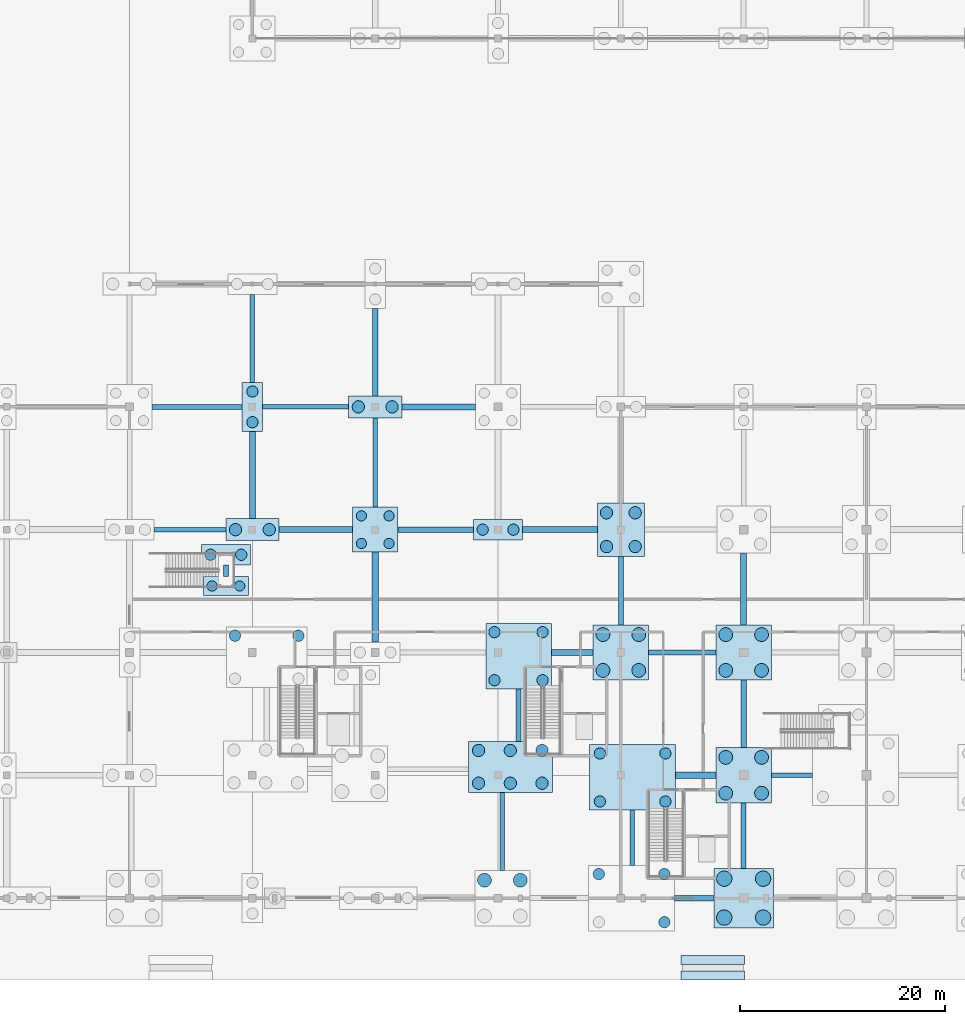
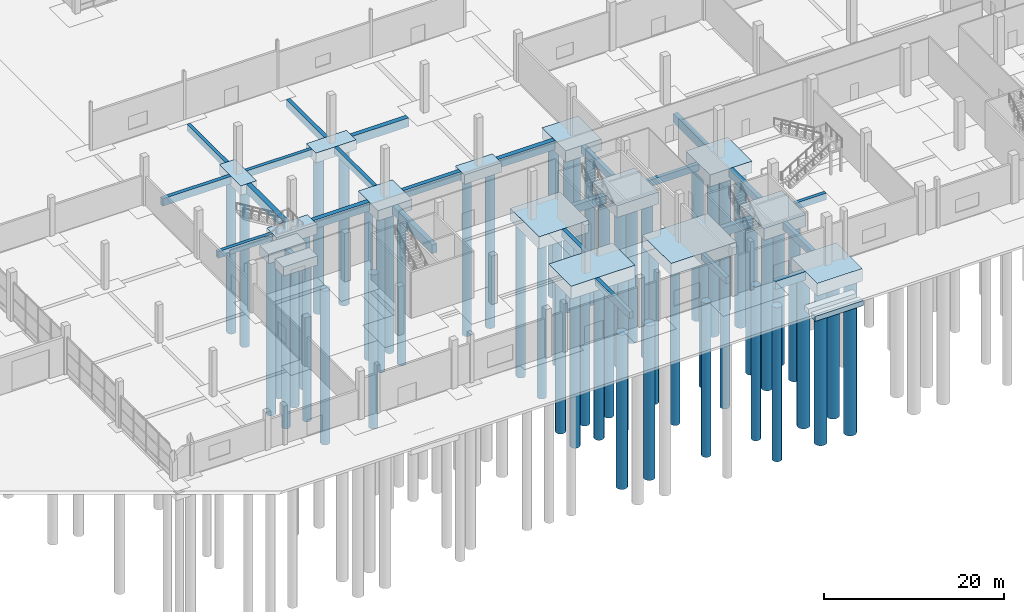
# One storey, part 3 of 117: 57 piles, 42 footings.
"""IFC4 building model written with IfcOpenShell, lengths in metres."""

from ifc_helpers import new_model, si_unit, direction, frame, origin, origin_2d, place, context, subcontext, project, spatial, rectangle, circle, extrude, material, material_profile, profile_set, type_object, element, save


model = new_model("IFC4")

# Units and contexts
model_context = context("Model", 3, precision=1e-05, world=origin(), true_north=direction((0.0, 1.0)))
body_context = subcontext(model_context, "Body", "Model", "MODEL_VIEW")
ifc_project = project(units=[si_unit("LENGTHUNIT", "METRE"), si_unit("AREAUNIT", "SQUARE_METRE"), si_unit("VOLUMEUNIT", "CUBIC_METRE"), si_unit("PLANEANGLEUNIT", "RADIAN"), si_unit("MASSUNIT", "GRAM", prefix="KILO")], contexts=[model_context])

# Site, building, storey
site_placement = place(None, origin())
site = spatial("IfcSite", under=ifc_project, at=site_placement, CompositionType="ELEMENT")
building_placement = place(site_placement, origin())
building = spatial("IfcBuilding", under=site, at=building_placement, Name="Kamomehara Wholesale Market", CompositionType="ELEMENT")
storey_placement = place(building_placement, origin())
storey = spatial("IfcBuildingStorey", under=building, at=storey_placement, Name="L00", CompositionType="ELEMENT", Elevation=0.0)

# Footings
ifc_material_1 = material(Name="Concrete Fc30 (C30/37)", Category="concrete")
footing_type_1 = type_object("IfcFootingType", Name="CAP-2PX-4400", PredefinedType="PILE_CAP", material=ifc_material_1)
footing_1_placement = place(storey_placement, frame((69.412109375, 42.5, -1.25), z_axis=(0.0, 0.0, 1.0), x_axis=(1.0, 0.0, 0.0)))
element("IfcFooting", 1, at=footing_1_placement, inside=storey, type_object=footing_type_1, Name="Pile cap PC-04", PredefinedType="PILE_CAP", context=body_context, shape_type="SweptSolid", body=[
    extrude(rectangle(XDim=4.39990234375, YDim=1.85009765625, at=origin_2d()), origin(), (0.0, 0.0, 1.0), 1.25),
])
ifc_material_2 = material(Name="Concrete Fc30 (C30/37)", Category="concrete")
footing_type_2 = type_object("IfcFootingType", Name="CAP-2PX-4800", PredefinedType="PILE_CAP", material=ifc_material_2)
for number, where, z_axis, x_axis, name in (
    (2, (69.412109375, 45.550048828125, -1.2998046875), (0.0, 0.0, 1.0), (1.0, 0.0, 0.0), "Pile cap PC-06"),
    (3, (96.0, 48.0, -1.2998046875), (0.0, 0.0, 1.0), (1.0, 0.0, 0.0), "Pile cap PC-06"),
):
    element("IfcFooting", number, at=place(storey_placement, frame(where, z_axis=z_axis, x_axis=x_axis)), inside=storey, type_object=footing_type_2, Name=name, PredefinedType="PILE_CAP", context=body_context, shape_type="SweptSolid", body=[
        extrude(rectangle(XDim=4.800048828125, YDim=2.0, at=origin_2d()), origin(), (0.0, 0.0, 1.0), 1.300048828125),
    ])
ifc_material_3 = material(Name="Concrete Fc30 (C30/37)", Category="concrete")
footing_type_3 = type_object("IfcFootingType", Name="CAP-2PX-5200", PredefinedType="PILE_CAP", material=ifc_material_3)
for number, where, z_axis, x_axis, name in (
    (4, (72.0, 48.0, -1.35009765625), (0.0, 0.0, 1.0), (1.0, 0.0, 0.0), "Pile cap PC-08"),
    (5, (84.0, 60.0, -1.35009765625), (0.0, 0.0, 1.0), (1.0, 0.0, 0.0), "Pile cap PC-08"),
):
    element("IfcFooting", number, at=place(storey_placement, frame(where, z_axis=z_axis, x_axis=x_axis)), inside=storey, type_object=footing_type_3, Name=name, PredefinedType="PILE_CAP", context=body_context, shape_type="SweptSolid", body=[
        extrude(rectangle(XDim=5.199951171875, YDim=2.14990234375, at=origin_2d()), origin(), (0.0, 0.0, 1.0), 1.35009765625),
    ])
ifc_material_4 = material(Name="Concrete Fc30 (C30/37)", Category="concrete")
footing_type_4 = type_object("IfcFootingType", Name="CAP-2PY-4800", PredefinedType="PILE_CAP", material=ifc_material_4)
footing_2_placement = place(storey_placement, frame((72.0, 60.0, -1.2998046875), z_axis=(0.0, 0.0, 1.0), x_axis=(1.0, 0.0, 0.0)))
element("IfcFooting", 6, at=footing_2_placement, inside=storey, type_object=footing_type_4, Name="Pile cap PC-07", PredefinedType="PILE_CAP", context=body_context, shape_type="SweptSolid", body=[
    extrude(rectangle(XDim=2.0, YDim=4.800048828125, at=origin_2d()), origin(), (0.0, 0.0, 1.0), 1.300048828125),
])
ifc_material_5 = material(Name="Concrete Fc30 (C30/37)", Category="concrete")
footing_type_5 = type_object("IfcFootingType", Name="CAP-4P-4400", PredefinedType="PILE_CAP", material=ifc_material_5)
footing_3_placement = place(storey_placement, frame((84.0, 48.0, -1.39990234375), z_axis=(0.0, 0.0, 1.0), x_axis=(1.0, 0.0, 0.0)))
element("IfcFooting", 7, at=footing_3_placement, inside=storey, type_object=footing_type_5, Name="Pile cap PC-10", PredefinedType="PILE_CAP", context=body_context, shape_type="SweptSolid", body=[
    extrude(rectangle(XDim=4.39990234375, YDim=4.39990234375, at=origin_2d()), origin(), (0.0, 0.0, 1.0), 1.39990234375),
])
ifc_material_6 = material(Name="Concrete Fc30 (C30/37)", Category="concrete")
footing_type_6 = type_object("IfcFootingType", Name="CAP-4P-5400", PredefinedType="PILE_CAP", material=ifc_material_6)
for number, where, z_axis, x_axis, name in (
    (8, (108.0, 36.0, -1.60009765625), (0.0, 0.0, 1.0), (1.0, 0.0, 0.0), "Pile cap PC-13"),
    (9, (120.0, 24.0, -1.60009765625), (0.0, 0.0, 1.0), (1.0, 0.0, 0.0), "Pile cap PC-13"),
    (10, (120.0, 36.0, -1.60009765625), (0.0, 0.0, 1.0), (1.0, 0.0, 0.0), "Pile cap PC-13"),
):
    element("IfcFooting", number, at=place(storey_placement, frame(where, z_axis=z_axis, x_axis=x_axis)), inside=storey, type_object=footing_type_6, Name=name, PredefinedType="PILE_CAP", context=body_context, shape_type="SweptSolid", body=[
        extrude(rectangle(XDim=5.39990234375, YDim=5.39990234375, at=origin_2d()), origin(), (0.0, 0.0, 1.0), 1.60009765625),
    ])
ifc_material_7 = material(Name="Concrete Fc30 (C30/37)", Category="concrete")
footing_type_7 = type_object("IfcFootingType", Name="CAP-4P-5800", PredefinedType="PILE_CAP", material=ifc_material_7)
footing_4_placement = place(storey_placement, frame((120.0, 12.0, -1.7001953125), z_axis=(0.0, 0.0, 1.0), x_axis=(1.0, 0.0, 0.0)))
element("IfcFooting", 11, at=footing_4_placement, inside=storey, type_object=footing_type_7, Name="Pile cap PC-14", PredefinedType="PILE_CAP", context=body_context, shape_type="SweptSolid", body=[
    extrude(rectangle(XDim=5.800048828125, YDim=5.800048828125, at=origin_2d()), origin(), (0.0, 0.0, 1.0), 1.699951171875),
])
ifc_material_8 = material(Name="Concrete Fc30 (C30/37)", Category="concrete")
footing_type_8 = type_object("IfcFootingType", Name="CAP-4PR-4600", PredefinedType="PILE_CAP", material=ifc_material_8)
footing_5_placement = place(storey_placement, frame((108.0, 48.0, -1.5498046875), z_axis=(0.0, 0.0, 1.0), x_axis=(1.0, 0.0, 0.0)))
element("IfcFooting", 12, at=footing_5_placement, inside=storey, type_object=footing_type_8, Name="Pile cap PC-16", PredefinedType="PILE_CAP", context=body_context, shape_type="SweptSolid", body=[
    extrude(rectangle(XDim=4.60009765625, YDim=5.199951171875, at=origin_2d()), origin(), (0.0, 0.0, 1.0), 1.550048828125),
])
ifc_material_9 = material(Name="Concrete Fc30 (C30/37)", Category="concrete")
footing_type_9 = type_object("IfcFootingType", Name="CAP-6P-8200", PredefinedType="PILE_CAP", material=ifc_material_9)
footing_6_placement = place(storey_placement, frame((97.199951171875, 24.824951171875, -1.75), z_axis=(0.0, 0.0, 1.0), x_axis=(1.0, 0.0, 0.0)))
element("IfcFooting", 13, at=footing_6_placement, inside=storey, type_object=footing_type_9, Name="Pile cap PC-17", PredefinedType="PILE_CAP", context=body_context, shape_type="SweptSolid", body=[
    extrude(rectangle(XDim=8.199951171875, YDim=5.0, at=origin_2d()), origin(), (0.0, 0.0, 1.0), 1.75),
])
ifc_material_10 = material(Name="Concrete Fc30 (C30/37)", Category="concrete")
footing_type_10 = type_object("IfcFootingType", Name="CAP-CMB-640x640", PredefinedType="PILE_CAP", material=ifc_material_10)
footing_7_placement = place(storey_placement, frame((98.0, 35.637939453125, -1.64990234375), z_axis=(0.0, 0.0, 1.0), x_axis=(1.0, 0.0, 0.0)))
element("IfcFooting", 14, at=footing_7_placement, inside=storey, type_object=footing_type_10, Name="Pile cap PCC-64x64", PredefinedType="PILE_CAP", context=body_context, shape_type="SweptSolid", body=[
    extrude(rectangle(XDim=6.39990234375, YDim=6.39990234375, at=origin_2d()), origin(), (0.0, 0.0, 1.0), 1.64990234375),
])
ifc_material_11 = material(Name="Concrete Fc30 (C30/37)", Category="concrete")
footing_type_11 = type_object("IfcFootingType", Name="CAP-CMB-840x640", PredefinedType="PILE_CAP", material=ifc_material_11)
footing_8_placement = place(storey_placement, frame((109.14990234375, 23.7880859375, -1.64990234375), z_axis=(0.0, 0.0, 1.0), x_axis=(1.0, 0.0, 0.0)))
element("IfcFooting", 15, at=footing_8_placement, inside=storey, type_object=footing_type_11, Name="Pile cap PCC-84x64", PredefinedType="PILE_CAP", context=body_context, shape_type="SweptSolid", body=[
    extrude(rectangle(XDim=8.39990234375, YDim=6.39990234375, at=origin_2d()), origin(), (0.0, 0.0, 1.0), 1.64990234375),
])
ifc_material_12 = material(Name="Concrete Fc30 (C30/37)", Category="concrete")
ifc_material_profile_1 = material_profile(ifc_material_12, rectangle(XDim=0.449951171875, YDim=0.89990234375, at=origin_2d()), Name="RC-FTB-450x900")
ifc_profile_set_1 = profile_set([ifc_material_profile_1], Name="Concrete Fc30 (C30/37)")
footing_type_12 = type_object("IfcFootingType", Name="FTB-450x900", PredefinedType="FOOTING_BEAM", material=ifc_profile_set_1)
footing_9_placement = place(storey_placement, frame((62.402099609375, 48.0, -0.449951171875), z_axis=(1.0, 0.0, 0.0), x_axis=(0.0, 1.0, 0.0)))
element("IfcFooting", 16, at=footing_9_placement, inside=storey, type_object=footing_type_12, Name="Foundation tie beam 55", PredefinedType="FOOTING_BEAM", context=body_context, shape_type="SweptSolid", body=[
    extrude(rectangle(XDim=0.449951171875, YDim=0.89990234375, at=origin_2d()), origin(), (0.0, 0.0, 1.0), 6.995849609375),
])
footing_10_placement = place(storey_placement, frame((73.001953125, 60.0, -0.449951171875), z_axis=(1.0, 0.0, 0.0), x_axis=(0.0, 1.0, 0.0)))
element("IfcFooting", 17, at=footing_10_placement, inside=storey, type_object=footing_type_12, Name="Foundation tie beam 67", PredefinedType="FOOTING_BEAM", context=body_context, shape_type="SweptSolid", body=[
    extrude(rectangle(XDim=0.449951171875, YDim=0.89990234375, at=origin_2d()), origin(), (0.0, 0.0, 1.0), 8.39599609375),
])
footing_11_placement = place(storey_placement, frame((110.701904296875, 36.0, -0.449951171875), z_axis=(1.0, 0.0, 0.0), x_axis=(0.0, 1.0, 0.0)))
element("IfcFooting", 18, at=footing_11_placement, inside=storey, type_object=footing_type_12, Name="Foundation tie beam 107", PredefinedType="FOOTING_BEAM", context=body_context, shape_type="SweptSolid", body=[
    extrude(rectangle(XDim=0.449951171875, YDim=0.89990234375, at=origin_2d()), origin(), (0.0, 0.0, 1.0), 6.59619140625),
])
footing_12_placement = place(storey_placement, frame((122.701904296875, 24.0, -0.449951171875), z_axis=(1.0, 0.0, 0.0), x_axis=(0.0, 1.0, 0.0)))
element("IfcFooting", 19, at=footing_12_placement, inside=storey, type_object=footing_type_12, Name="Foundation tie beam 119", PredefinedType="FOOTING_BEAM", context=body_context, shape_type="SweptSolid", body=[
    extrude(rectangle(XDim=0.449951171875, YDim=0.89990234375, at=origin_2d()), origin(), (0.0, 0.0, 1.0), 4.0419921875),
])
footing_13_placement = place(storey_placement, frame((72.0, 62.402099609375, -0.449951171875), z_axis=(0.0, 1.0, 0.0), x_axis=(-1.0, 0.0, 0.0)))
element("IfcFooting", 20, at=footing_13_placement, inside=storey, type_object=footing_type_12, Name="Foundation tie beam 259", PredefinedType="FOOTING_BEAM", context=body_context, shape_type="SweptSolid", body=[
    extrude(rectangle(XDim=0.449951171875, YDim=0.89990234375, at=origin_2d()), origin(), (0.0, 0.0, 1.0), 8.595947265625),
])
footing_14_placement = place(storey_placement, frame((84.0, 50.201904296875, -0.449951171875), z_axis=(0.0, 1.0, 0.0), x_axis=(-1.0, 0.0, 0.0)))
element("IfcFooting", 21, at=footing_14_placement, inside=storey, type_object=footing_type_12, Name="Foundation tie beam 267", PredefinedType="FOOTING_BEAM", context=body_context, shape_type="SweptSolid", body=[
    extrude(rectangle(XDim=0.449951171875, YDim=0.89990234375, at=origin_2d()), origin(), (0.0, 0.0, 1.0), 8.72119140625),
])
footing_15_placement = place(storey_placement, frame((96.425048828125, 14.701904296875, -0.449951171875), z_axis=(0.0, 1.0, 0.0), x_axis=(-1.0, 0.0, 0.0)))
element("IfcFooting", 22, at=footing_15_placement, inside=storey, type_object=footing_type_12, Name="Foundation tie beam 275", PredefinedType="FOOTING_BEAM", context=body_context, shape_type="SweptSolid", body=[
    extrude(rectangle(XDim=0.449951171875, YDim=0.89990234375, at=origin_2d()), origin(), (0.0, 0.0, 1.0), 7.62109375),
])
footing_16_placement = place(storey_placement, frame((109.10009765625, 15.201904296875, -0.449951171875), z_axis=(0.0, 1.0, 0.0), x_axis=(-1.0, 0.0, 0.0)))
element("IfcFooting", 23, at=footing_16_placement, inside=storey, type_object=footing_type_12, Name="Foundation tie beam 283", PredefinedType="FOOTING_BEAM", context=body_context, shape_type="SweptSolid", body=[
    extrude(rectangle(XDim=0.449951171875, YDim=0.89990234375, at=origin_2d()), origin(), (0.0, 0.0, 1.0), 5.384033203125),
])
ifc_material_13 = material(Name="Concrete Fc30 (C30/37)", Category="concrete")
ifc_material_profile_2 = material_profile(ifc_material_13, rectangle(XDim=0.5, YDim=1.0, at=origin_2d()), Name="RC-FTB-500x1000")
ifc_profile_set_2 = profile_set([ifc_material_profile_2], Name="Concrete Fc30 (C30/37)")
footing_type_13 = type_object("IfcFootingType", Name="FTB-500x1000", PredefinedType="FOOTING_BEAM", material=ifc_profile_set_2)
footing_17_placement = place(storey_placement, frame((62.201904296875, 60.0, -0.5), z_axis=(1.0, 0.0, 0.0), x_axis=(0.0, 1.0, 0.0)))
element("IfcFooting", 24, at=footing_17_placement, inside=storey, type_object=footing_type_13, Name="Foundation tie beam 56", PredefinedType="FOOTING_BEAM", context=body_context, shape_type="SweptSolid", body=[
    extrude(rectangle(XDim=0.5, YDim=1.0, at=origin_2d()), origin(), (0.0, 0.0, 1.0), 8.796142578125),
])
footing_18_placement = place(storey_placement, frame((69.412109375, 43.427001953125, -0.5), z_axis=(0.0, 1.0, 0.0), x_axis=(-1.0, 0.0, 0.0)))
element("IfcFooting", 25, at=footing_18_placement, inside=storey, type_object=footing_type_13, Name="Foundation tie beam 256", PredefinedType="FOOTING_BEAM", context=body_context, shape_type="SweptSolid", body=[
    extrude(rectangle(XDim=0.5, YDim=1.0, at=origin_2d()), origin(), (0.0, 0.0, 1.0), 1.12109375),
])
footing_19_placement = place(storey_placement, frame((84.0, 61.076904296875, -0.5), z_axis=(0.0, 1.0, 0.0), x_axis=(-1.0, 0.0, 0.0)))
element("IfcFooting", 26, at=footing_19_placement, inside=storey, type_object=footing_type_13, Name="Foundation tie beam 268", PredefinedType="FOOTING_BEAM", context=body_context, shape_type="SweptSolid", body=[
    extrude(rectangle(XDim=0.5, YDim=1.0, at=origin_2d()), origin(), (0.0, 0.0, 1.0), 8.52099609375),
])
footing_20_placement = place(storey_placement, frame((98.0, 27.326904296875, -0.5), z_axis=(0.0, 1.0, 0.0), x_axis=(-1.0, 0.0, 0.0)))
element("IfcFooting", 27, at=footing_20_placement, inside=storey, type_object=footing_type_13, Name="Foundation tie beam 276", PredefinedType="FOOTING_BEAM", context=body_context, shape_type="SweptSolid", body=[
    extrude(rectangle(XDim=0.5, YDim=1.0, at=origin_2d()), origin(), (0.0, 0.0, 1.0), 5.109130859375),
])
footing_21_placement = place(storey_placement, frame((108.0, 38.701904296875, -0.5), z_axis=(0.0, 1.0, 0.0), x_axis=(-1.0, 0.0, 0.0)))
element("IfcFooting", 28, at=footing_21_placement, inside=storey, type_object=footing_type_13, Name="Foundation tie beam 284", PredefinedType="FOOTING_BEAM", context=body_context, shape_type="SweptSolid", body=[
    extrude(rectangle(XDim=0.5, YDim=1.0, at=origin_2d()), origin(), (0.0, 0.0, 1.0), 6.696044921875),
])
footing_22_placement = place(storey_placement, frame((120.0, 14.902099609375, -0.5), z_axis=(0.0, 1.0, 0.0), x_axis=(-1.0, 0.0, 0.0)))
element("IfcFooting", 29, at=footing_22_placement, inside=storey, type_object=footing_type_13, Name="Foundation tie beam 292", PredefinedType="FOOTING_BEAM", context=body_context, shape_type="SweptSolid", body=[
    extrude(rectangle(XDim=0.5, YDim=1.0, at=origin_2d()), origin(), (0.0, 0.0, 1.0), 6.39599609375),
])
ifc_material_14 = material(Name="Concrete Fc30 (C30/37)", Category="concrete")
ifc_material_profile_3 = material_profile(ifc_material_14, rectangle(XDim=0.550048828125, YDim=1.10009765625, at=origin_2d()), Name="RC-FTB-550x1100")
ifc_profile_set_3 = profile_set([ifc_material_profile_3], Name="Concrete Fc30 (C30/37)")
footing_type_14 = type_object("IfcFootingType", Name="FTB-550x1100", PredefinedType="FOOTING_BEAM", material=ifc_profile_set_3)
footing_23_placement = place(storey_placement, frame((86.201904296875, 48.0, -0.550048828125), z_axis=(1.0, 0.0, 0.0), x_axis=(0.0, 1.0, 0.0)))
element("IfcFooting", 30, at=footing_23_placement, inside=storey, type_object=footing_type_14, Name="Foundation tie beam 81", PredefinedType="FOOTING_BEAM", context=body_context, shape_type="SweptSolid", body=[
    extrude(rectangle(XDim=0.550048828125, YDim=1.10009765625, at=origin_2d()), origin(), (0.0, 0.0, 1.0), 7.39599609375),
])
footing_24_placement = place(storey_placement, frame((101.201904296875, 36.0, -0.550048828125), z_axis=(1.0, 0.0, 0.0), x_axis=(0.0, 1.0, 0.0)))
element("IfcFooting", 31, at=footing_24_placement, inside=storey, type_object=footing_type_14, Name="Foundation tie beam 93", PredefinedType="FOOTING_BEAM", context=body_context, shape_type="SweptSolid", body=[
    extrude(rectangle(XDim=0.550048828125, YDim=1.10009765625, at=origin_2d()), origin(), (0.0, 0.0, 1.0), 4.09619140625),
])
footing_25_placement = place(storey_placement, frame((113.251953125, 12.0, -0.550048828125), z_axis=(1.0, 0.0, 0.0), x_axis=(0.0, 1.0, 0.0)))
element("IfcFooting", 32, at=footing_25_placement, inside=storey, type_object=footing_type_14, Name="Foundation tie beam 105", PredefinedType="FOOTING_BEAM", context=body_context, shape_type="SweptSolid", body=[
    extrude(rectangle(XDim=0.550048828125, YDim=1.10009765625, at=origin_2d()), origin(), (0.0, 0.0, 1.0), 3.845947265625),
])
footing_26_placement = place(storey_placement, frame((120.0, 26.701904296875, -0.550048828125), z_axis=(0.0, 1.0, 0.0), x_axis=(-1.0, 0.0, 0.0)))
element("IfcFooting", 33, at=footing_26_placement, inside=storey, type_object=footing_type_14, Name="Foundation tie beam 293", PredefinedType="FOOTING_BEAM", context=body_context, shape_type="SweptSolid", body=[
    extrude(rectangle(XDim=0.550048828125, YDim=1.10009765625, at=origin_2d()), origin(), (0.0, 0.0, 1.0), 6.59619140625),
])
ifc_material_15 = material(Name="Concrete Fc30 (C30/37)", Category="concrete")
ifc_material_profile_4 = material_profile(ifc_material_15, rectangle(XDim=0.60009765625, YDim=1.199951171875, at=origin_2d()), Name="RC-FTB-600x1200")
ifc_profile_set_4 = profile_set([ifc_material_profile_4], Name="Concrete Fc30 (C30/37)")
footing_type_15 = type_object("IfcFootingType", Name="FTB-600x1200", PredefinedType="FOOTING_BEAM", material=ifc_profile_set_4)
for number, where, z_axis, x_axis, name in (
    (34, (74.60205078125, 48.0, -0.60009765625), (1.0, 0.0, 0.0), (0.0, 1.0, 0.0), "Foundation tie beam 66"),
    (35, (86.60205078125, 60.0, -0.60009765625), (1.0, 0.0, 0.0), (0.0, 1.0, 0.0), "Foundation tie beam 82"),
):
    element("IfcFooting", number, at=place(storey_placement, frame(where, z_axis=z_axis, x_axis=x_axis)), inside=storey, type_object=footing_type_15, Name=name, PredefinedType="FOOTING_BEAM", context=body_context, shape_type="SweptSolid", body=[
        extrude(rectangle(XDim=0.60009765625, YDim=1.199951171875, at=origin_2d()), origin(), (0.0, 0.0, 1.0), 7.196044921875),
    ])
footing_27_placement = place(storey_placement, frame((98.402099609375, 48.0, -0.60009765625), z_axis=(1.0, 0.0, 0.0), x_axis=(0.0, 1.0, 0.0)))
element("IfcFooting", 36, at=footing_27_placement, inside=storey, type_object=footing_type_15, Name="Foundation tie beam 94", PredefinedType="FOOTING_BEAM", context=body_context, shape_type="SweptSolid", body=[
    extrude(rectangle(XDim=0.60009765625, YDim=1.199951171875, at=origin_2d()), origin(), (0.0, 0.0, 1.0), 7.2958984375),
])
footing_28_placement = place(storey_placement, frame((113.35205078125, 24.0, -0.60009765625), z_axis=(1.0, 0.0, 0.0), x_axis=(0.0, 1.0, 0.0)))
element("IfcFooting", 37, at=footing_28_placement, inside=storey, type_object=footing_type_15, Name="Foundation tie beam 106", PredefinedType="FOOTING_BEAM", context=body_context, shape_type="SweptSolid", body=[
    extrude(rectangle(XDim=0.60009765625, YDim=1.199951171875, at=origin_2d()), origin(), (0.0, 0.0, 1.0), 3.946044921875),
])
footing_29_placement = place(storey_placement, frame((72.0, 49.076904296875, -0.60009765625), z_axis=(0.0, 1.0, 0.0), x_axis=(-1.0, 0.0, 0.0)))
element("IfcFooting", 38, at=footing_29_placement, inside=storey, type_object=footing_type_15, Name="Foundation tie beam 258", PredefinedType="FOOTING_BEAM", context=body_context, shape_type="SweptSolid", body=[
    extrude(rectangle(XDim=0.60009765625, YDim=1.199951171875, at=origin_2d()), origin(), (0.0, 0.0, 1.0), 8.52099609375),
])
footing_30_placement = place(storey_placement, frame((84.0, 37.001953125, -0.60009765625), z_axis=(0.0, 1.0, 0.0), x_axis=(-1.0, 0.0, 0.0)))
element("IfcFooting", 39, at=footing_30_placement, inside=storey, type_object=footing_type_15, Name="Foundation tie beam 266", PredefinedType="FOOTING_BEAM", context=body_context, shape_type="SweptSolid", body=[
    extrude(rectangle(XDim=0.60009765625, YDim=1.199951171875, at=origin_2d()), origin(), (0.0, 0.0, 1.0), 8.796142578125),
])
footing_31_placement = place(storey_placement, frame((120.0, 38.701904296875, -0.60009765625), z_axis=(0.0, 1.0, 0.0), x_axis=(-1.0, 0.0, 0.0)))
element("IfcFooting", 40, at=footing_31_placement, inside=storey, type_object=footing_type_15, Name="Foundation tie beam 294", PredefinedType="FOOTING_BEAM", context=body_context, shape_type="SweptSolid", body=[
    extrude(rectangle(XDim=0.60009765625, YDim=1.199951171875, at=origin_2d()), origin(), (0.0, 0.0, 1.0), 6.99609375),
])
ifc_material_16 = material(Name="Concrete Fc30 (C30/37)", Category="concrete")
footing_type_16 = type_object("IfcFootingType", Name="PAD-RMP-1800", PredefinedType="PAD_FOOTING", material=ifc_material_16)
for number, where, z_axis, x_axis, name in (
    (41, (117.0, 4.449951171875, -0.9599609375), (0.0, 0.0, 1.0), (1.0, 0.0, 0.0), "Ramp toe footing PR-02.1"),
    (42, (117.0, 5.949951171875, -0.89990234375), (0.0, 0.0, 1.0), (1.0, 0.0, 0.0), "Ramp toe footing PR-02.2"),
):
    element("IfcFooting", number, at=place(storey_placement, frame(where, z_axis=z_axis, x_axis=x_axis)), inside=storey, type_object=footing_type_16, Name=name, PredefinedType="PAD_FOOTING", context=body_context, shape_type="SweptSolid", body=[
        extrude(rectangle(XDim=6.199951171875, YDim=0.89990234375, at=origin_2d()), origin(), (0.0, 0.0, 1.0), 0.699951171875),
    ])

# Piles
ifc_material_17 = material(Name="Concrete Fc30 (C30/37)", Category="concrete")
ifc_material_profile_5 = material_profile(ifc_material_17, circle(Radius=0.5, at=origin_2d()), Name="RC-PILE-D1000")
ifc_profile_set_5 = profile_set([ifc_material_profile_5], Name="Concrete Fc30 (C30/37)")
pile_type_1 = type_object("IfcPileType", Name="PILE-D1000", PredefinedType="BORED", material=ifc_profile_set_5)
for number, where, z_axis, x_axis, name in (
    (43, (68.06201171875, 42.5, -1.14990234375), (0.0, 0.0, -1.0), (1.0, 0.0, 0.0), "Bored pile 71.231"),
    (44, (70.761962890625, 42.5, -1.14990234375), (0.0, 0.0, -1.0), (1.0, 0.0, 0.0), "Bored pile 71.232"),
):
    element("IfcPile", number, at=place(storey_placement, frame(where, z_axis=z_axis, x_axis=x_axis)), inside=storey, type_object=pile_type_1, Name=name, PredefinedType="BORED", context=body_context, shape_type="SweptSolid", body=[
        extrude(circle(Radius=0.5, at=origin_2d()), origin(), (0.0, 0.0, 1.0), 21.35009765625),
    ])
for number, where, z_axis, x_axis, name in (
    (45, (82.64990234375, 46.64990234375, -1.300048828125), (0.0, 0.0, -1.0), (1.0, 0.0, 0.0), "Bored pile 91.278"),
    (46, (85.35009765625, 46.64990234375, -1.300048828125), (0.0, 0.0, -1.0), (1.0, 0.0, 0.0), "Bored pile 91.279"),
    (47, (82.64990234375, 49.35009765625, -1.300048828125), (0.0, 0.0, -1.0), (1.0, 0.0, 0.0), "Bored pile 91.280"),
    (48, (85.35009765625, 49.35009765625, -1.300048828125), (0.0, 0.0, -1.0), (1.0, 0.0, 0.0), "Bored pile 91.281"),
):
    element("IfcPile", number, at=place(storey_placement, frame(where, z_axis=z_axis, x_axis=x_axis)), inside=storey, type_object=pile_type_1, Name=name, PredefinedType="BORED", context=body_context, shape_type="SweptSolid", body=[
        extrude(circle(Radius=0.5, at=origin_2d()), origin(), (0.0, 0.0, 1.0), 21.199951171875),
    ])
ifc_material_18 = material(Name="Concrete Fc30 (C30/37)", Category="concrete")
ifc_material_profile_6 = material_profile(ifc_material_18, circle(Radius=0.550048828125, at=origin_2d()), Name="RC-PILE-D1100")
ifc_profile_set_6 = profile_set([ifc_material_profile_6], Name="Concrete Fc30 (C30/37)")
pile_type_2 = type_object("IfcPileType", Name="PILE-D1100", PredefinedType="BORED", material=ifc_profile_set_6)
for number, where, z_axis, x_axis, name in (
    (49, (67.912109375, 45.550048828125, -1.199951171875), (0.0, 0.0, -1.0), (1.0, 0.0, 0.0), "Bored pile 72.233"),
    (50, (70.912109375, 45.550048828125, -1.199951171875), (0.0, 0.0, -1.0), (1.0, 0.0, 0.0), "Bored pile 72.234"),
):
    element("IfcPile", number, at=place(storey_placement, frame(where, z_axis=z_axis, x_axis=x_axis)), inside=storey, type_object=pile_type_2, Name=name, PredefinedType="BORED", context=body_context, shape_type="SweptSolid", body=[
        extrude(circle(Radius=0.550048828125, at=origin_2d()), origin(), (0.0, 0.0, 1.0), 21.300048828125),
    ])
for number, where, z_axis, x_axis, name in (
    (51, (70.300048828125, 37.637939453125, -1.550048828125), (0.0, 0.0, -1.0), (1.0, 0.0, 0.0), "Bored pile 75.245"),
    (52, (76.5, 37.637939453125, -1.550048828125), (0.0, 0.0, -1.0), (1.0, 0.0, 0.0), "Bored pile 75.246"),
):
    element("IfcPile", number, at=place(storey_placement, frame(where, z_axis=z_axis, x_axis=x_axis)), inside=storey, type_object=pile_type_2, Name=name, PredefinedType="BORED", context=body_context, shape_type="SweptSolid", body=[
        extrude(circle(Radius=0.550048828125, at=origin_2d()), origin(), (0.0, 0.0, 1.0), 20.949951171875),
    ])
for number, where, z_axis, x_axis, name in (
    (53, (72.0, 58.5, -1.199951171875), (0.0, 0.0, -1.0), (1.0, 0.0, 0.0), "Bored pile 77.249"),
    (54, (72.0, 61.5, -1.199951171875), (0.0, 0.0, -1.0), (1.0, 0.0, 0.0), "Bored pile 77.250"),
):
    element("IfcPile", number, at=place(storey_placement, frame(where, z_axis=z_axis, x_axis=x_axis)), inside=storey, type_object=pile_type_2, Name=name, PredefinedType="BORED", context=body_context, shape_type="SweptSolid", body=[
        extrude(circle(Radius=0.550048828125, at=origin_2d()), origin(), (0.0, 0.0, 1.0), 21.300048828125),
    ])
for number, where, z_axis, x_axis, name in (
    (55, (95.64990234375, 33.2880859375, -1.550048828125), (0.0, 0.0, -1.0), (1.0, 0.0, 0.0), "Bored pile 106.317"),
    (56, (100.35009765625, 33.2880859375, -1.550048828125), (0.0, 0.0, -1.0), (1.0, 0.0, 0.0), "Bored pile 106.318"),
    (57, (95.64990234375, 37.988037109375, -1.550048828125), (0.0, 0.0, -1.0), (1.0, 0.0, 0.0), "Bored pile 106.319"),
    (58, (100.35009765625, 37.988037109375, -1.550048828125), (0.0, 0.0, -1.0), (1.0, 0.0, 0.0), "Bored pile 106.320"),
):
    element("IfcPile", number, at=place(storey_placement, frame(where, z_axis=z_axis, x_axis=x_axis)), inside=storey, type_object=pile_type_2, Name=name, PredefinedType="BORED", context=body_context, shape_type="SweptSolid", body=[
        extrude(circle(Radius=0.550048828125, at=origin_2d()), origin(), (0.0, 0.0, 1.0), 20.949951171875),
    ])
for number, where, z_axis, x_axis, name in (
    (59, (94.5, 48.0, -1.199951171875), (0.0, 0.0, -1.0), (1.0, 0.0, 0.0), "Bored pile 107.321"),
    (60, (97.5, 48.0, -1.199951171875), (0.0, 0.0, -1.0), (1.0, 0.0, 0.0), "Bored pile 107.322"),
):
    element("IfcPile", number, at=place(storey_placement, frame(where, z_axis=z_axis, x_axis=x_axis)), inside=storey, type_object=pile_type_2, Name=name, PredefinedType="BORED", context=body_context, shape_type="SweptSolid", body=[
        extrude(circle(Radius=0.550048828125, at=origin_2d()), origin(), (0.0, 0.0, 1.0), 21.300048828125),
    ])
for number, where, z_axis, x_axis, name in (
    (61, (112.25, 9.64990234375, -1.550048828125), (0.0, 0.0, -1.0), (1.0, 0.0, 0.0), "Bored pile 118.343"),
    (62, (105.85009765625, 14.35009765625, -1.550048828125), (0.0, 0.0, -1.0), (1.0, 0.0, 0.0), "Bored pile 118.344"),
    (63, (112.25, 14.35009765625, -1.550048828125), (0.0, 0.0, -1.0), (1.0, 0.0, 0.0), "Bored pile 118.345"),
    (64, (105.949951171875, 21.43798828125, -1.550048828125), (0.0, 0.0, -1.0), (1.0, 0.0, 0.0), "Bored pile 119.346"),
    (65, (112.35009765625, 21.43798828125, -1.550048828125), (0.0, 0.0, -1.0), (1.0, 0.0, 0.0), "Bored pile 119.347"),
    (66, (105.949951171875, 26.137939453125, -1.550048828125), (0.0, 0.0, -1.0), (1.0, 0.0, 0.0), "Bored pile 119.348"),
    (67, (112.35009765625, 26.137939453125, -1.550048828125), (0.0, 0.0, -1.0), (1.0, 0.0, 0.0), "Bored pile 119.349"),
):
    element("IfcPile", number, at=place(storey_placement, frame(where, z_axis=z_axis, x_axis=x_axis)), inside=storey, type_object=pile_type_2, Name=name, PredefinedType="BORED", context=body_context, shape_type="SweptSolid", body=[
        extrude(circle(Radius=0.550048828125, at=origin_2d()), origin(), (0.0, 0.0, 1.0), 20.949951171875),
    ])
ifc_material_19 = material(Name="Concrete Fc30 (C30/37)", Category="concrete")
ifc_material_profile_7 = material_profile(ifc_material_19, circle(Radius=0.60009765625, at=origin_2d()), Name="RC-PILE-D1200")
ifc_profile_set_7 = profile_set([ifc_material_profile_7], Name="Concrete Fc30 (C30/37)")
pile_type_3 = type_object("IfcPileType", Name="PILE-D1200", PredefinedType="BORED", material=ifc_profile_set_7)
for number, where, z_axis, x_axis, name in (
    (68, (70.35009765625, 48.0, -1.25), (0.0, 0.0, -1.0), (1.0, 0.0, 0.0), "Bored pile 76.247"),
    (69, (73.64990234375, 48.0, -1.25), (0.0, 0.0, -1.0), (1.0, 0.0, 0.0), "Bored pile 76.248"),
    (70, (82.35009765625, 60.0, -1.25), (0.0, 0.0, -1.0), (1.0, 0.0, 0.0), "Bored pile 92.282"),
    (71, (85.64990234375, 60.0, -1.25), (0.0, 0.0, -1.0), (1.0, 0.0, 0.0), "Bored pile 92.283"),
):
    element("IfcPile", number, at=place(storey_placement, frame(where, z_axis=z_axis, x_axis=x_axis)), inside=storey, type_object=pile_type_3, Name=name, PredefinedType="BORED", context=body_context, shape_type="SweptSolid", body=[
        extrude(circle(Radius=0.60009765625, at=origin_2d()), origin(), (0.0, 0.0, 1.0), 21.25),
    ])
for number, where, z_axis, x_axis, name in (
    (72, (94.10009765625, 23.22509765625, -1.64990234375), (0.0, 0.0, -1.0), (1.0, 0.0, 0.0), "Bored pile 105.311"),
    (73, (97.199951171875, 23.22509765625, -1.64990234375), (0.0, 0.0, -1.0), (1.0, 0.0, 0.0), "Bored pile 105.312"),
    (74, (100.300048828125, 23.22509765625, -1.64990234375), (0.0, 0.0, -1.0), (1.0, 0.0, 0.0), "Bored pile 105.313"),
    (75, (94.10009765625, 26.425048828125, -1.64990234375), (0.0, 0.0, -1.0), (1.0, 0.0, 0.0), "Bored pile 105.314"),
    (76, (97.199951171875, 26.425048828125, -1.64990234375), (0.0, 0.0, -1.0), (1.0, 0.0, 0.0), "Bored pile 105.315"),
    (77, (100.300048828125, 26.425048828125, -1.64990234375), (0.0, 0.0, -1.0), (1.0, 0.0, 0.0), "Bored pile 105.316"),
):
    element("IfcPile", number, at=place(storey_placement, frame(where, z_axis=z_axis, x_axis=x_axis)), inside=storey, type_object=pile_type_3, Name=name, PredefinedType="BORED", context=body_context, shape_type="SweptSolid", body=[
        extrude(circle(Radius=0.60009765625, at=origin_2d()), origin(), (0.0, 0.0, 1.0), 20.85009765625),
    ])
for number, where, z_axis, x_axis, name in (
    (78, (106.60009765625, 46.35009765625, -1.449951171875), (0.0, 0.0, -1.0), (1.0, 0.0, 0.0), "Bored pile 121.354"),
    (79, (109.39990234375, 46.35009765625, -1.449951171875), (0.0, 0.0, -1.0), (1.0, 0.0, 0.0), "Bored pile 121.355"),
    (80, (106.60009765625, 49.64990234375, -1.449951171875), (0.0, 0.0, -1.0), (1.0, 0.0, 0.0), "Bored pile 121.356"),
    (81, (109.39990234375, 49.64990234375, -1.449951171875), (0.0, 0.0, -1.0), (1.0, 0.0, 0.0), "Bored pile 121.357"),
):
    element("IfcPile", number, at=place(storey_placement, frame(where, z_axis=z_axis, x_axis=x_axis)), inside=storey, type_object=pile_type_3, Name=name, PredefinedType="BORED", context=body_context, shape_type="SweptSolid", body=[
        extrude(circle(Radius=0.60009765625, at=origin_2d()), origin(), (0.0, 0.0, 1.0), 21.050048828125),
    ])
ifc_material_20 = material(Name="Concrete Fc30 (C30/37)", Category="concrete")
ifc_material_profile_8 = material_profile(ifc_material_20, circle(Radius=0.675048828125, at=origin_2d()), Name="RC-PILE-D1350")
ifc_profile_set_8 = profile_set([ifc_material_profile_8], Name="Concrete Fc30 (C30/37)")
pile_type_4 = type_object("IfcPileType", Name="PILE-D1350", PredefinedType="BORED", material=ifc_profile_set_8)
for number, where, z_axis, x_axis, name in (
    (82, (94.675048828125, 13.75, -1.5), (0.0, 0.0, -1.0), (1.0, 0.0, 0.0), "Bored pile 104.309"),
    (83, (98.175048828125, 13.75, -1.5), (0.0, 0.0, -1.0), (1.0, 0.0, 0.0), "Bored pile 104.310"),
    (84, (106.25, 34.25, -1.5), (0.0, 0.0, -1.0), (1.0, 0.0, 0.0), "Bored pile 120.350"),
    (85, (109.75, 34.25, -1.5), (0.0, 0.0, -1.0), (1.0, 0.0, 0.0), "Bored pile 120.351"),
    (86, (106.25, 37.75, -1.5), (0.0, 0.0, -1.0), (1.0, 0.0, 0.0), "Bored pile 120.352"),
    (87, (109.75, 37.75, -1.5), (0.0, 0.0, -1.0), (1.0, 0.0, 0.0), "Bored pile 120.353"),
    (88, (118.25, 22.25, -1.5), (0.0, 0.0, -1.0), (1.0, 0.0, 0.0), "Bored pile 133.381"),
    (89, (121.75, 22.25, -1.5), (0.0, 0.0, -1.0), (1.0, 0.0, 0.0), "Bored pile 133.382"),
    (90, (118.25, 25.75, -1.5), (0.0, 0.0, -1.0), (1.0, 0.0, 0.0), "Bored pile 133.383"),
    (91, (121.75, 25.75, -1.5), (0.0, 0.0, -1.0), (1.0, 0.0, 0.0), "Bored pile 133.384"),
    (92, (118.25, 34.25, -1.5), (0.0, 0.0, -1.0), (1.0, 0.0, 0.0), "Bored pile 134.385"),
    (93, (121.75, 34.25, -1.5), (0.0, 0.0, -1.0), (1.0, 0.0, 0.0), "Bored pile 134.386"),
    (94, (118.25, 37.75, -1.5), (0.0, 0.0, -1.0), (1.0, 0.0, 0.0), "Bored pile 134.387"),
    (95, (121.75, 37.75, -1.5), (0.0, 0.0, -1.0), (1.0, 0.0, 0.0), "Bored pile 134.388"),
):
    element("IfcPile", number, at=place(storey_placement, frame(where, z_axis=z_axis, x_axis=x_axis)), inside=storey, type_object=pile_type_4, Name=name, PredefinedType="BORED", context=body_context, shape_type="SweptSolid", body=[
        extrude(circle(Radius=0.675048828125, at=origin_2d()), origin(), (0.0, 0.0, 1.0), 21.0),
    ])
ifc_material_21 = material(Name="Concrete Fc30 (C30/37)", Category="concrete")
ifc_material_profile_9 = material_profile(ifc_material_21, circle(Radius=0.75, at=origin_2d()), Name="RC-PILE-D1500")
ifc_profile_set_9 = profile_set([ifc_material_profile_9], Name="Concrete Fc30 (C30/37)")
pile_type_5 = type_object("IfcPileType", Name="PILE-D1500", PredefinedType="BORED", material=ifc_profile_set_9)
for number, where, z_axis, x_axis, name in (
    (96, (118.10009765625, 10.10009765625, -1.60009765625), (0.0, 0.0, -1.0), (1.0, 0.0, 0.0), "Bored pile 132.377"),
    (97, (121.89990234375, 10.10009765625, -1.60009765625), (0.0, 0.0, -1.0), (1.0, 0.0, 0.0), "Bored pile 132.378"),
    (98, (118.10009765625, 13.89990234375, -1.60009765625), (0.0, 0.0, -1.0), (1.0, 0.0, 0.0), "Bored pile 132.379"),
    (99, (121.89990234375, 13.89990234375, -1.60009765625), (0.0, 0.0, -1.0), (1.0, 0.0, 0.0), "Bored pile 132.380"),
):
    element("IfcPile", number, at=place(storey_placement, frame(where, z_axis=z_axis, x_axis=x_axis)), inside=storey, type_object=pile_type_5, Name=name, PredefinedType="BORED", context=body_context, shape_type="SweptSolid", body=[
        extrude(circle(Radius=0.75, at=origin_2d()), origin(), (0.0, 0.0, 1.0), 20.89990234375),
    ])

save(model, "model.ifc")
